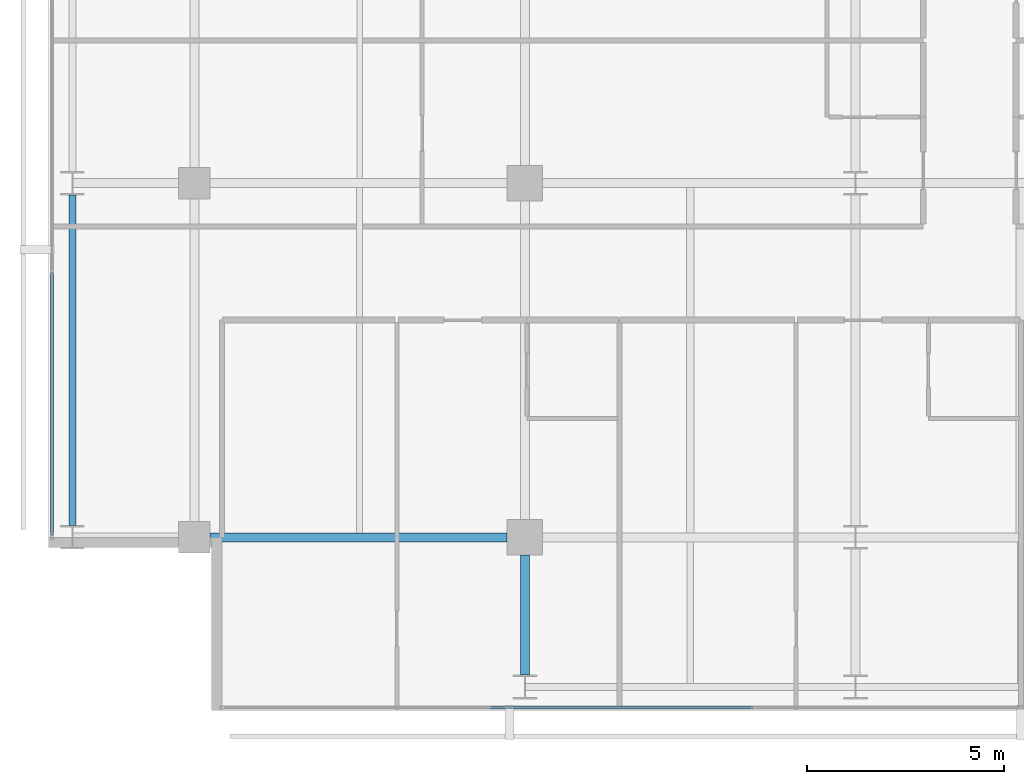
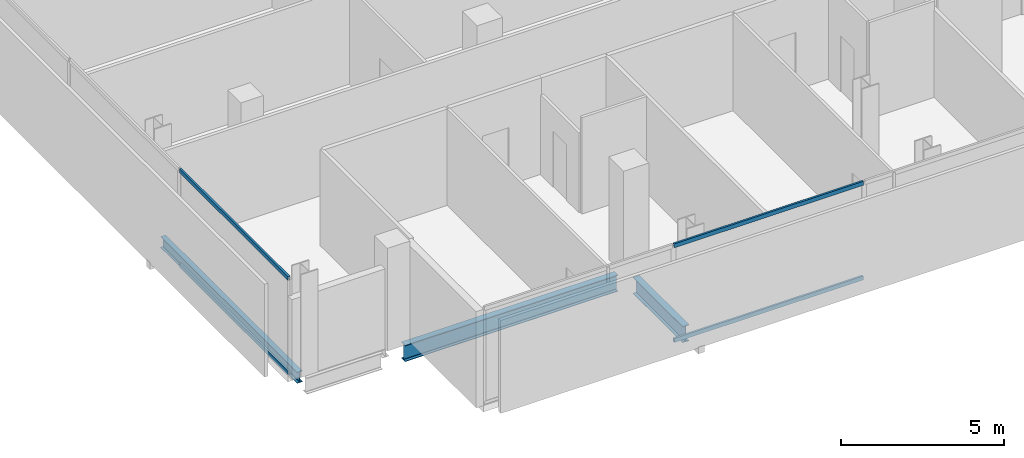
# One storey, part 3 of 34: 4 members, 3 beams, 2 elements without a shape of their own.
"""IFC4 building model written with IfcOpenShell, lengths in metres."""

import ifcopenshell
import ifcopenshell.guid

model = None  # the IFC model being written
_history = None  # IfcOwnerHistory: only IFC2X3 demands one
_inside = {}  # id of a spatial element -> (the spatial element, [elements in it])
_under = {}  # id of a project, library or spatial element -> (it, [spatial elements below it])
_declared = {}  # id of a project -> (the project, [libraries it declares])
_typed = {}  # id of a type object -> (the type object, [elements of that type])
_made_of = {}  # id of a material, layer set ... -> (it, [elements and type objects made of it])


def new_model(schema):
    """Start an empty IFC model of exactly this schema.

    Asked for "IFC4X3", IfcOpenShell would pick the latest addendum, in which some entities
    have other attributes; the version numbers below select the first issue.
    IFC2X3 requires an IfcOwnerHistory on every rooted entity: one is made here for all.
    """
    global model, _history
    if schema == "IFC4X3":
        model = ifcopenshell.file(schema_version=(4, 3, 0, 0))
    else:
        model = ifcopenshell.file(schema=schema)
    _inside.clear()
    _under.clear()
    _declared.clear()
    _typed.clear()
    _made_of.clear()
    _history = None
    if model.schema == "IFC2X3":
        org = make("IfcOrganization", Name="unknown")
        user = make(
            "IfcPersonAndOrganization",
            ThePerson=make("IfcPerson", FamilyName="unknown"),
            TheOrganization=org,
        )
        app = make(
            "IfcApplication",
            ApplicationDeveloper=org,
            Version="unknown",
            ApplicationFullName="unknown",
            ApplicationIdentifier="unknown",
        )
        _history = make(
            "IfcOwnerHistory",
            OwningUser=user,
            OwningApplication=app,
            ChangeAction="ADDED",
            CreationDate=0,
        )
    return model


def make(cls, **values):
    """One entity of the class cls with the attributes given. An attribute that is None is left unset."""
    return model.create_entity(
        cls, **{name: value for name, value in values.items() if value is not None}
    )


def rooted(cls, **values):
    """An entity with a GlobalId (a new one), such as an element, a storey or a relation."""
    return make(cls, GlobalId=ifcopenshell.guid.new(), OwnerHistory=_history, **values)


def si_unit(unit_type, name, prefix=None):
    """IfcSIUnit, for example si_unit("LENGTHUNIT", "METRE", prefix="MILLI")."""
    return make("IfcSIUnit", UnitType=unit_type, Prefix=prefix, Name=name)


def assignment(units):
    """IfcUnitAssignment: the units of a project."""
    return None if units is None else make("IfcUnitAssignment", Units=units)


def point(xyz):
    """IfcCartesianPoint."""
    return None if xyz is None else make("IfcCartesianPoint", Coordinates=xyz)


def direction(xyz):
    """IfcDirection."""
    return None if xyz is None else make("IfcDirection", DirectionRatios=xyz)


def frame(location, z_axis=None, x_axis=None):
    """IfcAxis2Placement3D, a coordinate frame: its origin and axes. An axis left out is left unset."""
    return make(
        "IfcAxis2Placement3D",
        Location=point(location),
        Axis=direction(z_axis),
        RefDirection=direction(x_axis),
    )


def frame_2d(location, x_axis=None):
    """IfcAxis2Placement2D, a coordinate frame in the plane: its origin and x axis."""
    return make(
        "IfcAxis2Placement2D", Location=point(location), RefDirection=direction(x_axis)
    )


def origin():
    """The frame at (0, 0, 0) with its axes left unset."""
    return frame((0.0, 0.0, 0.0))


def origin_2d():
    """The frame at (0, 0) in the plane with its x axis left unset."""
    return frame_2d((0.0, 0.0))


def place(relative_to, where):
    """IfcLocalPlacement: puts the frame where relative to a parent placement (None: the world)."""
    return make(
        "IfcLocalPlacement", PlacementRelTo=relative_to, RelativePlacement=where
    )


def context(
    kind, dimensions, precision=None, world=None, true_north=None, identifier=None
):
    """IfcGeometricRepresentationContext, for example the 3D "Model" context."""
    return make(
        "IfcGeometricRepresentationContext",
        ContextIdentifier=identifier,
        ContextType=kind,
        CoordinateSpaceDimension=dimensions,
        Precision=precision,
        WorldCoordinateSystem=world,
        TrueNorth=true_north,
    )


def subcontext(parent, identifier, kind, view, scale=None):
    """IfcGeometricRepresentationSubContext, for example "Body" below "Model"."""
    return make(
        "IfcGeometricRepresentationSubContext",
        ContextIdentifier=identifier,
        ContextType=kind,
        ParentContext=parent,
        TargetScale=scale,
        TargetView=view,
    )


def project(units=None, contexts=None):
    """IfcProject with its units and contexts."""
    return rooted(
        "IfcProject",
        Name="project",
        RepresentationContexts=contexts,
        UnitsInContext=assignment(units),
    )


def spatial(cls, under=None, at=None, **own):
    """A site, building, storey or space (cls), placed at a placement, below another one or the project."""
    s = rooted(cls, ObjectPlacement=at, **own)
    if under is not None:
        _under.setdefault(under.id(), (under, []))[1].append(s)
    return s


def profile(cls, at=None, kind="AREA", **sizes):
    """A parametric profile (cls). Its sizes go by their IFC names, for example OverallWidth=200.0."""
    return make(cls, ProfileType=kind, Position=at, **sizes)


def hollow_rectangle(**sizes):
    """IfcRectangleHollowProfileDef."""
    return profile("IfcRectangleHollowProfileDef", **sizes)


def i_section(**sizes):
    """IfcIShapeProfileDef."""
    return profile("IfcIShapeProfileDef", **sizes)


def extrude(swept, where, along, depth):
    """IfcExtrudedAreaSolid: the profile swept, set in the frame where, extruded along a direction by depth."""
    return make(
        "IfcExtrudedAreaSolid",
        SweptArea=swept,
        Position=where,
        ExtrudedDirection=direction(along),
        Depth=depth,
    )


def shape(context_of_items, identifier, shape_type, items):
    """IfcShapeRepresentation: the items that make up one representation, for example the "Body"."""
    return make(
        "IfcShapeRepresentation",
        ContextOfItems=context_of_items,
        RepresentationIdentifier=identifier,
        RepresentationType=shape_type,
        Items=items,
    )


def material(Name=None, Category=None):
    """IfcMaterial."""
    return make("IfcMaterial", Name=Name, Category=Category)


def layer(
    of_material, thickness, ventilated=None, Name=None, Category=None, Priority=None
):
    """IfcMaterialLayer: one layer of a wall or slab, of a material (None: an air gap)."""
    return make(
        "IfcMaterialLayer",
        Material=of_material,
        LayerThickness=thickness,
        IsVentilated=ventilated,
        Name=Name,
        Category=Category,
        Priority=Priority,
    )


def layer_set(layers, Name=None):
    """IfcMaterialLayerSet."""
    return make("IfcMaterialLayerSet", MaterialLayers=layers, LayerSetName=Name)


def material_profile(
    of_material, cross_section, Name=None, Category=None, Priority=None
):
    """IfcMaterialProfile: a cross section and its material."""
    return make(
        "IfcMaterialProfile",
        Name=Name,
        Material=of_material,
        Profile=cross_section,
        Priority=Priority,
        Category=Category,
    )


def profile_set(profiles, Name=None, composite=None):
    """IfcMaterialProfileSet."""
    return make(
        "IfcMaterialProfileSet",
        Name=Name,
        MaterialProfiles=profiles,
        CompositeProfile=composite,
    )


def made_of(thing, what):
    """Note that an element or type object is made of a material, layer set ...; save() writes the relation."""
    if what is not None:
        _made_of.setdefault(what.id(), (what, []))[1].append(thing)
    return thing


def type_object(cls, material=None, **own):
    """A type object (cls), such as IfcWallType, which elements share."""
    return made_of(rooted(cls, **own), material)


def element(
    cls,
    number,
    at=None,
    inside=None,
    cuts=None,
    type_object=None,
    material=None,
    context=None,
    identifier="Body",
    shape_type=None,
    held_by="IfcProductDefinitionShape",
    body=None,
    shapes=None,
    **own,
):
    """One element of the class cls, such as IfcWall. Its Tag is "e" and its number.

    at: its placement. inside: the storey or other place that contains it. cuts: it is an
    opening in that element (IfcRelVoidsElement). A single representation is given by context,
    identifier, shape_type and body (its items); several are given by shapes. held_by: the class
    of the entity that holds the representations. save() writes the other relations.
    """
    e = rooted(cls, Tag="e%d" % number, ObjectPlacement=at, **own)
    if body is not None:
        shapes = [shape(context, identifier, shape_type, body)]
    if shapes is not None:
        e.Representation = make(held_by, Representations=shapes)
    if inside is not None:
        _inside.setdefault(inside.id(), (inside, []))[1].append(e)
    if cuts is not None:
        rooted(
            "IfcRelVoidsElement", RelatingBuildingElement=cuts, RelatedOpeningElement=e
        )
    if type_object is not None:
        _typed.setdefault(type_object.id(), (type_object, []))[1].append(e)
    return made_of(e, material)


def aggregate(whole, parts):
    """IfcRelAggregates: a whole, such as a stair, and the parts it consists of."""
    return rooted("IfcRelAggregates", RelatingObject=whole, RelatedObjects=parts)


def save(model, path):
    """Write the relations noted so far, then the file.

    IfcRelAggregates (storeys below a building ...), IfcRelContainedInSpatialStructure (elements
    in a storey), IfcRelDefinesByType, IfcRelAssociatesMaterial and IfcRelDeclares: one each for
    every whole, place, type object, material and project.
    """
    for whole, parts in _under.values():
        aggregate(whole, parts)
    for where, things in _inside.values():
        rooted(
            "IfcRelContainedInSpatialStructure",
            RelatedElements=things,
            RelatingStructure=where,
        )
    for kind, things in _typed.values():
        rooted("IfcRelDefinesByType", RelatedObjects=things, RelatingType=kind)
    for what, things in _made_of.values():
        rooted("IfcRelAssociatesMaterial", RelatedObjects=things, RelatingMaterial=what)
    for by, libraries in _declared.values():
        rooted("IfcRelDeclares", RelatingContext=by, RelatedDefinitions=libraries)
    model.write(path)


model = new_model("IFC4")

# Units and contexts
model_context = context("Model", 3, precision=1e-05, world=origin(), true_north=direction((0.0, 1.0)))
body_context = subcontext(model_context, "Body", "Model", "MODEL_VIEW")
ifc_project = project(units=[si_unit("LENGTHUNIT", "METRE"), si_unit("AREAUNIT", "SQUARE_METRE"), si_unit("VOLUMEUNIT", "CUBIC_METRE"), si_unit("PLANEANGLEUNIT", "RADIAN"), si_unit("MASSUNIT", "GRAM", prefix="KILO")], contexts=[model_context])

# Site, building, storey
site_placement = place(None, origin())
site = spatial("IfcSite", under=ifc_project, at=site_placement, CompositionType="ELEMENT")
building_placement = place(site_placement, origin())
building = spatial("IfcBuilding", under=site, at=building_placement, Name="Maruvema Waterfront Hotel and Observation Tower", CompositionType="ELEMENT")
storey_placement = place(building_placement, frame((0.0, 0.0, 146.64990234375)))
storey = spatial("IfcBuildingStorey", under=building, at=storey_placement, Name="L35", CompositionType="ELEMENT", Elevation=146.64990234375)

# Curtain wall, members
ifc_material_1 = material(Name="Anodised bronze aluminium and solar-control low-E IGU", Category="aluminium")
ifc_layer = layer(ifc_material_1, 0.159912109375, Name="Zone 2 Amber Inner Thermal Curtain Wall System CW-03")
ifc_layer_set = layer_set([ifc_layer], Name="Anodised bronze aluminium and solar-control low-E IGU")
curtain_wall_type = type_object("IfcCurtainWallType", Name="Zone 2 Amber Inner Thermal Curtain Wall System CW-03", PredefinedType="USERDEFINED", material=ifc_layer_set)
curtain_wall_1_placement = place(storey_placement, origin())
curtain_wall_1 = element("IfcCurtainWall", 1, at=curtain_wall_1_placement, inside=storey, type_object=curtain_wall_type, Name="L35 Curtain Wall CW-L35-S", ObjectType="UNITISED CURTAIN WALL", PredefinedType="USERDEFINED")
ifc_material_2 = material(Name="Anodised architectural bronze aluminium", Category="aluminium")
ifc_material_profile_1 = material_profile(ifc_material_2, hollow_rectangle(XDim=0.070068359375, YDim=0.14990234375, WallThickness=0.00390625, at=origin_2d()), Name="ALU-T70x150")
ifc_profile_set_1 = profile_set([ifc_material_profile_1], Name="Anodised architectural bronze aluminium")
member_type = type_object("IfcMemberType", Name="Curtain Wall Horizontal Transom ALU-T70x150", PredefinedType="USERDEFINED", material=ifc_profile_set_1)
member_1_placement = place(storey_placement, frame((24.296630859375, 4.679931640625, 0.030029296875), z_axis=(1.0, 0.0, 0.0), x_axis=(0.0, 1.0, 0.0)))
member_1 = element("IfcMember", 2, at=member_1_placement, type_object=member_type, Name="CW-03 transom 2.1", ObjectType="TRANSOM", PredefinedType="USERDEFINED", context=body_context, shape_type="SweptSolid", body=[
    extrude(hollow_rectangle(XDim=0.070068359375, YDim=0.14990234375, WallThickness=0.00390625, at=origin_2d()), origin(), (0.0, 0.0, 1.0), 6.706787109375),
])
member_2_placement = place(storey_placement, frame((24.296630859375, 4.679931640625, 3.580078125), z_axis=(1.0, 0.0, 0.0), x_axis=(0.0, 1.0, 0.0)))
member_2 = element("IfcMember", 3, at=member_2_placement, type_object=member_type, Name="CW-03 transom 2.2", ObjectType="TRANSOM", PredefinedType="USERDEFINED", context=body_context, shape_type="SweptSolid", body=[
    extrude(hollow_rectangle(XDim=0.070068359375, YDim=0.14990234375, WallThickness=0.00390625, at=origin_2d()), origin(), (0.0, 0.0, 1.0), 6.706787109375),
])
aggregate(curtain_wall_1, [member_1, member_2])

curtain_wall_2_placement = place(storey_placement, origin())
curtain_wall_2 = element("IfcCurtainWall", 4, at=curtain_wall_2_placement, inside=storey, type_object=curtain_wall_type, Name="L35 Curtain Wall CW-L35-W", ObjectType="UNITISED CURTAIN WALL", PredefinedType="USERDEFINED")
member_3_placement = place(storey_placement, frame((13.179931640625, 15.736572265625, 0.030029296875), z_axis=(0.0, -1.0, 0.0), x_axis=(1.0, 0.0, 0.0)))
member_3 = element("IfcMember", 5, at=member_3_placement, type_object=member_type, Name="CW-03 transom 6.1", ObjectType="TRANSOM", PredefinedType="USERDEFINED", context=body_context, shape_type="SweptSolid", body=[
    extrude(hollow_rectangle(XDim=0.070068359375, YDim=0.14990234375, WallThickness=0.00390625, at=origin_2d()), origin(), (0.0, 0.0, 1.0), 6.676513671875),
])
member_4_placement = place(storey_placement, frame((13.179931640625, 15.736572265625, 3.580078125), z_axis=(0.0, -1.0, 0.0), x_axis=(1.0, 0.0, 0.0)))
member_4 = element("IfcMember", 6, at=member_4_placement, type_object=member_type, Name="CW-03 transom 6.2", ObjectType="TRANSOM", PredefinedType="USERDEFINED", context=body_context, shape_type="SweptSolid", body=[
    extrude(hollow_rectangle(XDim=0.070068359375, YDim=0.14990234375, WallThickness=0.00390625, at=origin_2d()), origin(), (0.0, 0.0, 1.0), 6.676513671875),
])
aggregate(curtain_wall_2, [member_3, member_4])

# Beams
ifc_material_3 = material(Name="Steel ASTM A572 Grade 50", Category="steel")
ifc_material_profile_2 = material_profile(ifc_material_3, i_section(OverallWidth=0.180908203125, OverallDepth=0.4169921875, WebThickness=0.010986328125, FlangeThickness=0.018310546875, FilletRadius=0.014892578125, at=origin_2d()), Name="W410x85.0")
ifc_profile_set_2 = profile_set([ifc_material_profile_2], Name="Steel ASTM A572 Grade 50")
beam_type_1 = type_object("IfcBeamType", Name="Perimeter Spandrel Beam W410x85.0", PredefinedType="SPANDREL", material=ifc_profile_set_2)
beam_1_placement = place(storey_placement, frame((13.699951171875, 9.300048828125, -0.448486328125), z_axis=(0.0, 1.0, 0.0), x_axis=(-1.0, 0.0, 0.0)))
element("IfcBeam", 7, at=beam_1_placement, inside=storey, type_object=beam_type_1, Name="L35 Floor Girder NS-01", PredefinedType="SPANDREL", context=body_context, shape_type="SweptSolid", body=[
    extrude(i_section(OverallWidth=0.180908203125, OverallDepth=0.4169921875, WebThickness=0.010986328125, FlangeThickness=0.018310546875, FilletRadius=0.014892578125, at=origin_2d()), origin(), (0.0, 0.0, 1.0), 8.39990234375),
])
ifc_material_4 = material(Name="Steel ASTM A572 Grade 50", Category="steel")
ifc_material_profile_3 = material_profile(ifc_material_4, i_section(OverallWidth=0.22900390625, OverallDepth=0.612060546875, WebThickness=0.011962890625, FlangeThickness=0.01953125, FilletRadius=0.01806640625, at=origin_2d()), Name="W610x125.0")
ifc_profile_set_3 = profile_set([ifc_material_profile_3], Name="Steel ASTM A572 Grade 50")
beam_type_2 = type_object("IfcBeamType", Name="Primary Floor Girder W610x125.0", PredefinedType="BEAM", material=ifc_profile_set_3)
beam_2_placement = place(storey_placement, frame((17.199951171875, 9.0, -0.5458984375), z_axis=(1.0, 0.0, 0.0), x_axis=(0.0, 1.0, 0.0)))
element("IfcBeam", 8, at=beam_2_placement, inside=storey, type_object=beam_type_2, Name="L35 Floor Girder EW-05", PredefinedType="BEAM", context=body_context, shape_type="SweptSolid", body=[
    extrude(i_section(OverallWidth=0.22900390625, OverallDepth=0.612060546875, WebThickness=0.011962890625, FlangeThickness=0.01953125, FilletRadius=0.01806640625, at=origin_2d()), origin(), (0.0, 0.0, 1.0), 7.550048828125),
])
beam_3_placement = place(storey_placement, frame((25.199951171875, 5.5, -0.5458984375), z_axis=(0.0, 1.0, 0.0), x_axis=(-1.0, 0.0, 0.0)))
element("IfcBeam", 9, at=beam_3_placement, inside=storey, type_object=beam_type_2, Name="L35 Floor Girder NS-09", PredefinedType="BEAM", context=body_context, shape_type="SweptSolid", body=[
    extrude(i_section(OverallWidth=0.22900390625, OverallDepth=0.612060546875, WebThickness=0.011962890625, FlangeThickness=0.01953125, FilletRadius=0.01806640625, at=origin_2d()), origin(), (0.0, 0.0, 1.0), 3.050048828125),
])

save(model, "model.ifc")
